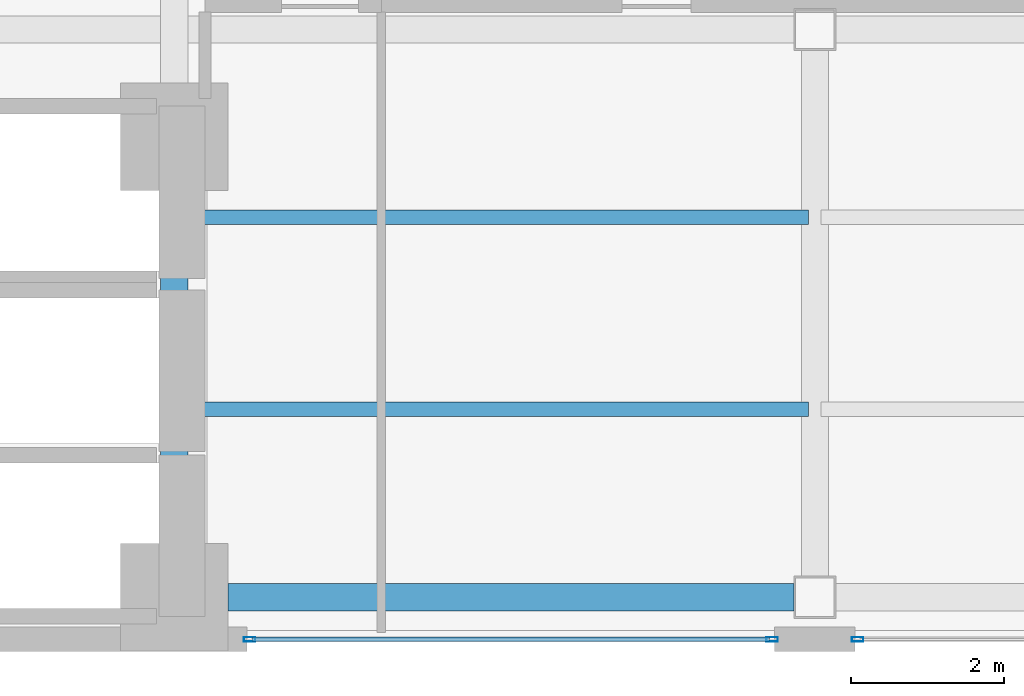
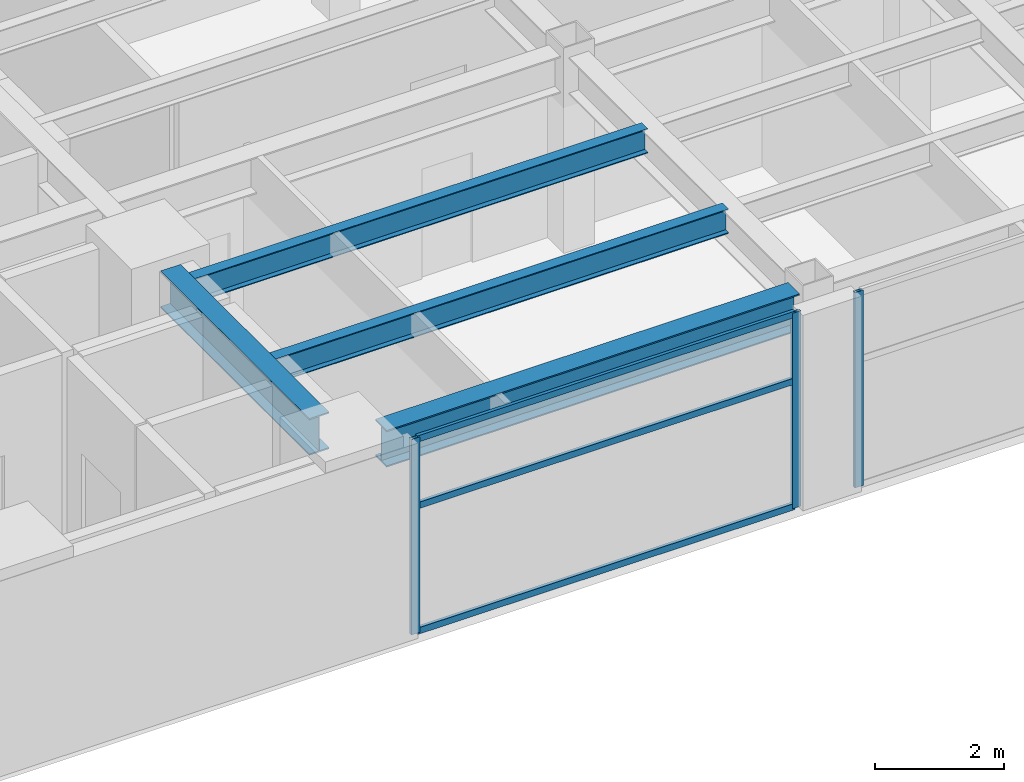
# One storey, part 4 of 17: 6 members, 4 beams, 2 elements without a shape of their own.
"""IFC4 building model written with IfcOpenShell, lengths in metres."""

from ifc_helpers import new_model, si_unit, direction, frame, origin, origin_2d, place, context, subcontext, project, spatial, hollow_rectangle, i_section, extrude, material, layer, layer_set, material_profile, profile_set, type_object, element, aggregate, save


model = new_model("IFC4")

# Units and contexts
model_context = context("Model", 3, precision=1e-05, world=origin(), true_north=direction((0.0, 1.0)))
body_context = subcontext(model_context, "Body", "Model", "MODEL_VIEW")
ifc_project = project(units=[si_unit("LENGTHUNIT", "METRE"), si_unit("AREAUNIT", "SQUARE_METRE"), si_unit("VOLUMEUNIT", "CUBIC_METRE"), si_unit("PLANEANGLEUNIT", "RADIAN"), si_unit("MASSUNIT", "GRAM", prefix="KILO")], contexts=[model_context])

# Site, building, storey
site_placement = place(None, origin())
site = spatial("IfcSite", under=ifc_project, at=site_placement, CompositionType="ELEMENT")
building_placement = place(site_placement, origin())
building = spatial("IfcBuilding", under=site, at=building_placement, Name="Mawjaban Terraces University", CompositionType="ELEMENT")
storey_placement = place(building_placement, frame((0.0, 0.0, 85.60009765625)))
storey = spatial("IfcBuildingStorey", under=building, at=storey_placement, Name="L20", CompositionType="ELEMENT", Elevation=85.60009765625)

# Beams
ifc_material_1 = material(Name="Steel ASTM A572 Grade 50", Category="steel")
ifc_material_profile_1 = material_profile(ifc_material_1, i_section(OverallWidth=0.35498046875, OverallDepth=0.695068359375, WebThickness=0.015380859375, FlangeThickness=0.02490234375, at=origin_2d()), Name="W690X217")
ifc_profile_set_1 = profile_set([ifc_material_profile_1], Name="Steel ASTM A572 Grade 50")
beam_type_1 = type_object("IfcBeamType", Name="Beam_B_W690X217", PredefinedType="BEAM", material=ifc_profile_set_1)
beam_1_placement = place(storey_placement, frame((38.35009765625, 0.550048828125, 3.343017578125), z_axis=(1.0, 0.0, 0.0), x_axis=(0.0, 1.0, 0.0)))
element("IfcBeam", 1, at=beam_1_placement, inside=storey, type_object=beam_type_1, Name="L20 Beam BM-L20-EW-01", PredefinedType="BEAM", context=body_context, shape_type="SweptSolid", body=[
    extrude(i_section(OverallWidth=0.35498046875, OverallDepth=0.695068359375, WebThickness=0.015380859375, FlangeThickness=0.02490234375, at=origin_2d()), origin(), (0.0, 0.0, 1.0), 7.375),
])
beam_2_placement = place(storey_placement, frame((37.64990234375, 1.25, 3.343017578125), z_axis=(0.0, 1.0, 0.0), x_axis=(-1.0, 0.0, 0.0)))
element("IfcBeam", 2, at=beam_2_placement, inside=storey, type_object=beam_type_1, Name="L20 Beam BM-L20-NS-07", PredefinedType="BEAM", context=body_context, shape_type="SweptSolid", body=[
    extrude(i_section(OverallWidth=0.35498046875, OverallDepth=0.695068359375, WebThickness=0.015380859375, FlangeThickness=0.02490234375, at=origin_2d()), origin(), (0.0, 0.0, 1.0), 4.60009765625),
])
ifc_material_profile_2 = material_profile(ifc_material_1, i_section(OverallWidth=0.19189453125, OverallDepth=0.462890625, WebThickness=0.010498046875, FlangeThickness=0.017578125, at=origin_2d()), Name="W460X89")
ifc_profile_set_2 = profile_set([ifc_material_profile_2], Name="Steel ASTM A572 Grade 50")
beam_type_2 = type_object("IfcBeamType", Name="Beam_J_W460X89", PredefinedType="JOIST", material=ifc_profile_set_2)
for number, where, z_axis, x_axis, name in (
    (3, (37.72998046875, 3.0, 3.458984375), (1.0, 0.0, 0.0), (0.0, 1.0, 0.0), "L20 Composite Joist JST-L20-01"),
    (4, (37.72998046875, 5.5, 3.458984375), (1.0, 0.0, 0.0), (0.0, 1.0, 0.0), "L20 Composite Joist JST-L20-06"),
):
    element("IfcBeam", number, at=place(storey_placement, frame(where, z_axis=z_axis, x_axis=x_axis)), inside=storey, type_object=beam_type_2, Name=name, PredefinedType="JOIST", context=body_context, shape_type="SweptSolid", body=[
        extrude(i_section(OverallWidth=0.19189453125, OverallDepth=0.462890625, WebThickness=0.010498046875, FlangeThickness=0.017578125, at=origin_2d()), origin(), (0.0, 0.0, 1.0), 8.18994140625),
    ])

# Curtain wall, members
ifc_material_2 = material(Name="Anodised aluminium 6063-T6 and solar-control low-E glass", Category="aluminium")
ifc_layer = layer(ifc_material_2, 0.1650390625)
ifc_layer_set = layer_set([ifc_layer], Name="Anodised aluminium 6063-T6 and solar-control low-E glass")
curtain_wall_type = type_object("IfcCurtainWallType", Name="CWSystem_04_EastWing", PredefinedType="NOTDEFINED", material=ifc_layer_set)
curtain_wall_1_placement = place(storey_placement, origin())
curtain_wall_1 = element("IfcCurtainWall", 5, at=curtain_wall_1_placement, inside=storey, type_object=curtain_wall_type, Name="L20 Curtain Wall CW-04 Run 1.2", PredefinedType="NOTDEFINED")
ifc_material_3 = material(Name="Anodised aluminium 6063-T6", Category="aluminium")
ifc_material_profile_3 = material_profile(ifc_material_3, hollow_rectangle(XDim=0.06005859375, YDim=0.14990234375, WallThickness=0.00390625, at=origin_2d()), Name="ALU150X60X4")
ifc_profile_set_3 = profile_set([ifc_material_profile_3], Name="Anodised aluminium 6063-T6")
member_type_1 = type_object("IfcMemberType", Name="Mullion_CW-04", PredefinedType="MULLION", material=ifc_profile_set_3)
member_1_placement = place(storey_placement, frame((38.632568359375, 0.0, 0.0), z_axis=(0.0, 0.0, 1.0), x_axis=(0.0, 1.0, 0.0)))
member_1 = element("IfcMember", 6, at=member_1_placement, type_object=member_type_1, Name="CW-04 mullion 1", PredefinedType="MULLION", context=body_context, shape_type="SweptSolid", body=[
    extrude(hollow_rectangle(XDim=0.06005859375, YDim=0.14990234375, WallThickness=0.00390625, at=origin_2d()), origin(), (0.0, 0.0, 1.0), 3.68994140625),
])
member_2_placement = place(storey_placement, frame((45.4423828125, 0.0, 0.0), z_axis=(0.0, 0.0, 1.0), x_axis=(0.0, 1.0, 0.0)))
member_2 = element("IfcMember", 7, at=member_2_placement, type_object=member_type_1, Name="CW-04 mullion 2", PredefinedType="MULLION", context=body_context, shape_type="SweptSolid", body=[
    extrude(hollow_rectangle(XDim=0.06005859375, YDim=0.14990234375, WallThickness=0.00390625, at=origin_2d()), origin(), (0.0, 0.0, 1.0), 3.68994140625),
])

# Curtain wall, member
curtain_wall_2_placement = place(storey_placement, origin())
curtain_wall_2 = element("IfcCurtainWall", 8, at=curtain_wall_2_placement, inside=storey, type_object=curtain_wall_type, Name="L20 Curtain Wall CW-04 Run 1.3", PredefinedType="NOTDEFINED")
member_3_placement = place(storey_placement, frame((46.5576171875, 0.0, 0.0), z_axis=(0.0, 0.0, 1.0), x_axis=(0.0, 1.0, 0.0)))
member_3 = element("IfcMember", 9, at=member_3_placement, type_object=member_type_1, Name="CW-04 mullion 1", PredefinedType="MULLION", context=body_context, shape_type="SweptSolid", body=[
    extrude(hollow_rectangle(XDim=0.06005859375, YDim=0.14990234375, WallThickness=0.00390625, at=origin_2d()), origin(), (0.0, 0.0, 1.0), 3.68994140625),
])
aggregate(curtain_wall_2, [member_3])

# Member
ifc_material_profile_4 = material_profile(ifc_material_3, hollow_rectangle(XDim=0.06005859375, YDim=0.1201171875, WallThickness=0.00341796875, at=origin_2d()), Name="ALU120X60X3.5")
ifc_profile_set_4 = profile_set([ifc_material_profile_4], Name="Anodised aluminium 6063-T6")
member_type_2 = type_object("IfcMemberType", Name="Transom_CW-04", PredefinedType="NOTDEFINED", material=ifc_profile_set_4)
member_4_placement = place(storey_placement, frame((38.6650390625, 0.0, 0.02978515625), z_axis=(1.0, 0.0, 0.0), x_axis=(0.0, 1.0, 0.0)))
member_4 = element("IfcMember", 10, at=member_4_placement, type_object=member_type_2, Name="CW-04 transom 1.1", ObjectType="TRANSOM", PredefinedType="USERDEFINED", context=body_context, shape_type="SweptSolid", body=[
    extrude(hollow_rectangle(XDim=0.06005859375, YDim=0.1201171875, WallThickness=0.00341796875, at=origin_2d()), origin(), (0.0, 0.0, 1.0), 6.744873046875),
])

member_5_placement = place(storey_placement, frame((38.6650390625, 0.0, 2.39892578125), z_axis=(1.0, 0.0, 0.0), x_axis=(0.0, 1.0, 0.0)))
member_5 = element("IfcMember", 11, at=member_5_placement, type_object=member_type_2, Name="CW-04 transom 1.2", ObjectType="TRANSOM", PredefinedType="USERDEFINED", context=body_context, shape_type="SweptSolid", body=[
    extrude(hollow_rectangle(XDim=0.06005859375, YDim=0.1201171875, WallThickness=0.00341796875, at=origin_2d()), origin(), (0.0, 0.0, 1.0), 6.744873046875),
])

member_6_placement = place(storey_placement, frame((38.6650390625, 0.0, 3.659912109375), z_axis=(1.0, 0.0, 0.0), x_axis=(0.0, 1.0, 0.0)))
member_6 = element("IfcMember", 12, at=member_6_placement, type_object=member_type_2, Name="CW-04 transom 1.3", ObjectType="TRANSOM", PredefinedType="USERDEFINED", context=body_context, shape_type="SweptSolid", body=[
    extrude(hollow_rectangle(XDim=0.06005859375, YDim=0.1201171875, WallThickness=0.00341796875, at=origin_2d()), origin(), (0.0, 0.0, 1.0), 6.744873046875),
])

aggregate(curtain_wall_1, [member_1, member_2, member_4, member_5, member_6])

save(model, "model.ifc")
